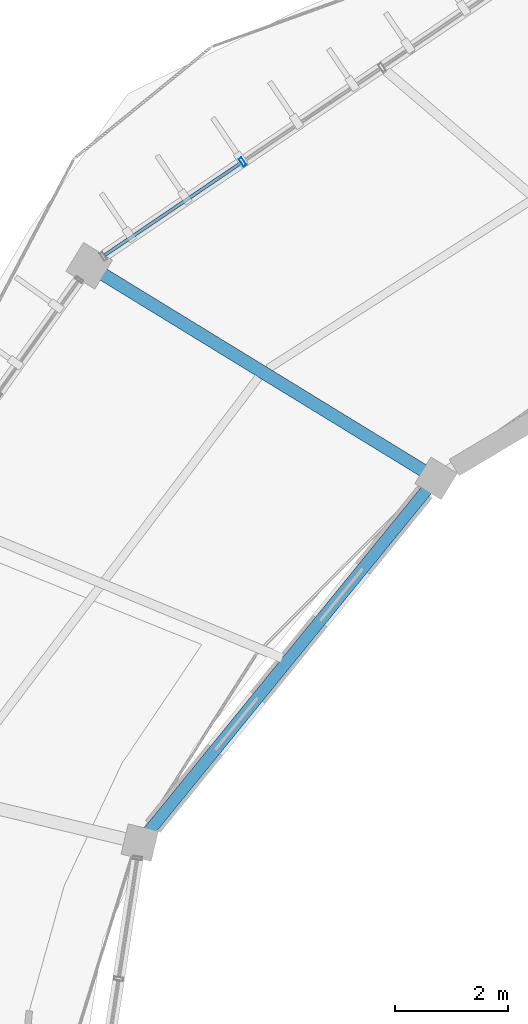
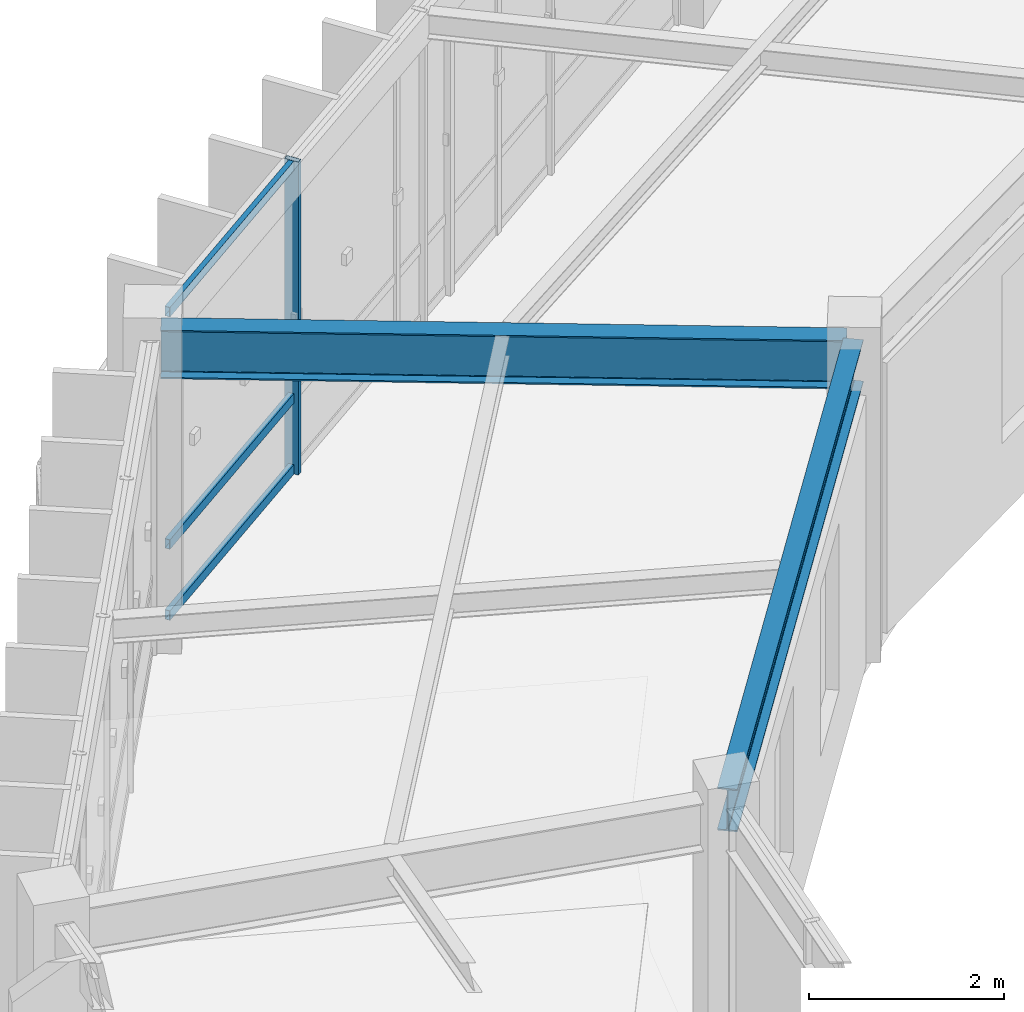
# One storey, part 21 of 83: 4 members, 2 beams, 1 element without a shape of its own.
"""IFC4 building model written with IfcOpenShell, lengths in metres."""

from ifc_helpers import new_model, si_unit, direction, frame, origin, origin_2d, place, context, subcontext, project, spatial, hollow_rectangle, i_section, extrude, material, material_profile, profile_set, type_object, element, aggregate, save


model = new_model("IFC4")

# Units and contexts
model_context = context("Model", 3, precision=1e-05, world=origin(), true_north=direction((0.0, 1.0)))
body_context = subcontext(model_context, "Body", "Model", "MODEL_VIEW")
ifc_project = project(units=[si_unit("LENGTHUNIT", "METRE"), si_unit("AREAUNIT", "SQUARE_METRE"), si_unit("VOLUMEUNIT", "CUBIC_METRE"), si_unit("PLANEANGLEUNIT", "RADIAN"), si_unit("MASSUNIT", "GRAM", prefix="KILO"), si_unit("THERMODYNAMICTEMPERATUREUNIT", "KELVIN"), si_unit("POWERUNIT", "WATT")], contexts=[model_context])

# Site, building, storey
site_placement = place(None, origin())
site = spatial("IfcSite", under=ifc_project, at=site_placement, CompositionType="ELEMENT")
building_placement = place(site_placement, origin())
building = spatial("IfcBuilding", under=site, at=building_placement, Name="Darbajah Civic Hall", CompositionType="ELEMENT")
storey_placement = place(building_placement, frame((0.0, 0.0, 18.0)))
storey = spatial("IfcBuildingStorey", under=building, at=storey_placement, Name="L04", CompositionType="ELEMENT", Elevation=18.0)

# Curtain wall, members
ifc_material_1 = material(Name="Anodised Bronze Aluminium and Low-E Glazing", Category="aluminium")
curtain_wall_type = type_object("IfcCurtainWallType", Name="Unitised Curtain Wall CW-58 11900x3900", PredefinedType="USERDEFINED", material=ifc_material_1)
curtain_wall_placement = place(storey_placement, origin())
curtain_wall = element("IfcCurtainWall", 1, at=curtain_wall_placement, inside=storey, type_object=curtain_wall_type, Name="L04 unitised curtain wall CW-V1O-L04-07", ObjectType="UNITISED CURTAIN WALL", PredefinedType="USERDEFINED")
ifc_material_2 = material(Name="Anodised Bronze Aluminium", Category="aluminium")
ifc_material_profile_1 = material_profile(ifc_material_2, hollow_rectangle(XDim=0.06005859375, YDim=0.159912109375, WallThickness=0.00341796875, at=origin_2d()), Name="ALU MULLION 60x160")
ifc_profile_set_1 = profile_set([ifc_material_profile_1], Name="Anodised Bronze Aluminium")
member_type_1 = type_object("IfcMemberType", Name="ALU MULLION 60x160", PredefinedType="MULLION", material=ifc_profile_set_1)
member_1_placement = place(storey_placement, frame((48.3310546875, 107.052978515625, 0.0), z_axis=(0.0, 0.0, 1.0), x_axis=(-0.827962472047, -0.560783509816, 0.0)))
member_1 = element("IfcMember", 2, at=member_1_placement, type_object=member_type_1, Name="CW-V1O-L04-07 mullion 4", PredefinedType="MULLION", context=body_context, shape_type="SweptSolid", body=[
    extrude(hollow_rectangle(XDim=0.06005859375, YDim=0.159912109375, WallThickness=0.00341796875, at=origin_2d()), origin(), (0.0, 0.0, 1.0), 3.919921875),
])
ifc_material_profile_2 = material_profile(ifc_material_2, hollow_rectangle(XDim=0.06005859375, YDim=0.1201171875, WallThickness=0.003173828125, at=origin_2d()), Name="ALU TRANSOM 60x120")
ifc_profile_set_2 = profile_set([ifc_material_profile_2], Name="Anodised Bronze Aluminium")
member_type_2 = type_object("IfcMemberType", Name="ALU TRANSOM 60x120", PredefinedType="USERDEFINED", material=ifc_profile_set_2)
member_2_placement = place(storey_placement, frame((48.302001953125, 107.033203125, 0.06005859375), z_axis=(-0.827985335355, -0.560749752062, 0.0), x_axis=(0.560749752062, -0.827985335355, 0.0)))
member_2 = element("IfcMember", 3, at=member_2_placement, type_object=member_type_2, Name="CW-V1O-L04-07 transom 4.1", ObjectType="TRANSOM", PredefinedType="USERDEFINED", context=body_context, shape_type="SweptSolid", body=[
    extrude(hollow_rectangle(XDim=0.06005859375, YDim=0.1201171875, WallThickness=0.003173828125, at=origin_2d()), origin(), (0.0, 0.0, 1.0), 2.907958984375),
])
member_3_placement = place(storey_placement, frame((48.302001953125, 107.033203125, 0.949951171875), z_axis=(-0.827985335355, -0.560749752062, 0.0), x_axis=(0.560749752062, -0.827985335355, 0.0)))
member_3 = element("IfcMember", 4, at=member_3_placement, type_object=member_type_2, Name="CW-V1O-L04-07 transom 4.2", ObjectType="TRANSOM", PredefinedType="USERDEFINED", context=body_context, shape_type="SweptSolid", body=[
    extrude(hollow_rectangle(XDim=0.06005859375, YDim=0.1201171875, WallThickness=0.003173828125, at=origin_2d()), origin(), (0.0, 0.0, 1.0), 2.907958984375),
])
member_4_placement = place(storey_placement, frame((48.302001953125, 107.033203125, 3.860107421875), z_axis=(-0.827985335355, -0.560749752062, 0.0), x_axis=(0.560749752062, -0.827985335355, 0.0)))
member_4 = element("IfcMember", 5, at=member_4_placement, type_object=member_type_2, Name="CW-V1O-L04-07 transom 4.3", ObjectType="TRANSOM", PredefinedType="USERDEFINED", context=body_context, shape_type="SweptSolid", body=[
    extrude(hollow_rectangle(XDim=0.06005859375, YDim=0.1201171875, WallThickness=0.003173828125, at=origin_2d()), origin(), (0.0, 0.0, 1.0), 2.907958984375),
])
aggregate(curtain_wall, [member_1, member_2, member_3, member_4])

# Beams
ifc_material_3 = material(Name="Steel S355JR", Category="steel")
ifc_material_profile_3 = material_profile(ifc_material_3, i_section(OverallWidth=0.209228515625, OverallDepth=0.533203125, WebThickness=0.010009765625, FlangeThickness=0.015625, FilletRadius=0.0126953125, at=origin_2d()), Name="UB 533x210x92")
ifc_profile_set_3 = profile_set([ifc_material_profile_3], Name="Steel S355JR")
beam_type_1 = type_object("IfcBeamType", Name="UB 533x210x92", PredefinedType="BEAM", material=ifc_profile_set_3)
beam_1_placement = place(storey_placement, frame((51.703857421875, 101.3896484375, 3.653564453125), z_axis=(-0.63108196788, -0.775716152866, 0.0), x_axis=(0.775716152866, -0.63108196788, 0.0)))
element("IfcBeam", 6, at=beam_1_placement, inside=storey, type_object=beam_type_1, Name="L04 beam SB-533", PredefinedType="BEAM", context=body_context, shape_type="SweptSolid", body=[
    extrude(i_section(OverallWidth=0.209228515625, OverallDepth=0.533203125, WebThickness=0.010009765625, FlangeThickness=0.015625, FilletRadius=0.0126953125, at=origin_2d()), origin(), (0.0, 0.0, 1.0), 8.149658203125),
])
ifc_material_profile_4 = material_profile(ifc_material_3, i_section(OverallWidth=0.228271484375, OverallDepth=0.607666015625, WebThickness=0.010986328125, FlangeThickness=0.017333984375, FilletRadius=0.0126953125, at=origin_2d()), Name="UB 610x229x113")
ifc_profile_set_4 = profile_set([ifc_material_profile_4], Name="Steel S355JR")
beam_type_2 = type_object("IfcBeamType", Name="UB 610x229x113", PredefinedType="BEAM", material=ifc_profile_set_4)
beam_2_placement = place(storey_placement, frame((51.686279296875, 101.493408203125, 3.6162109375), z_axis=(-0.852639128905, 0.522500254411, 0.0), x_axis=(-0.522500254411, -0.852639128905, 0.0)))
element("IfcBeam", 7, at=beam_2_placement, inside=storey, type_object=beam_type_2, Name="L04 beam SB-610", PredefinedType="BEAM", context=body_context, shape_type="SweptSolid", body=[
    extrude(i_section(OverallWidth=0.228271484375, OverallDepth=0.607666015625, WebThickness=0.010986328125, FlangeThickness=0.017333984375, FilletRadius=0.0126953125, at=origin_2d()), origin(), (0.0, 0.0, 1.0), 7.0400390625),
])

save(model, "model.ifc")
